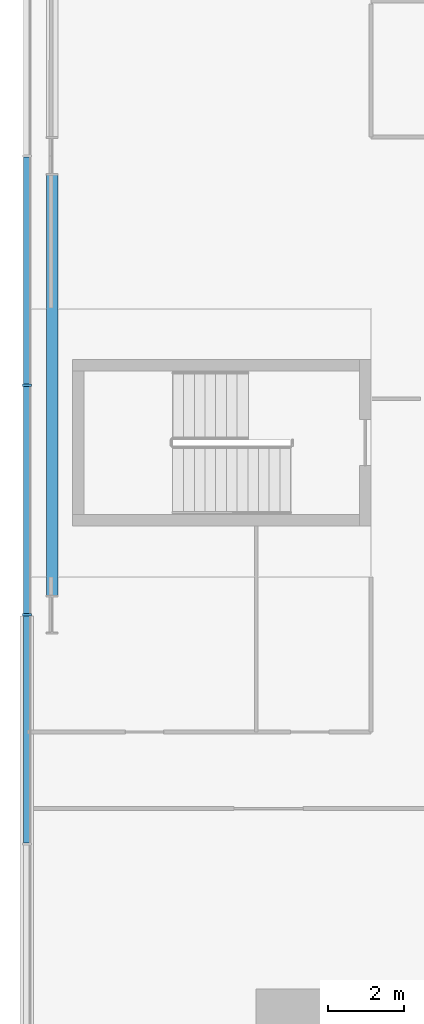
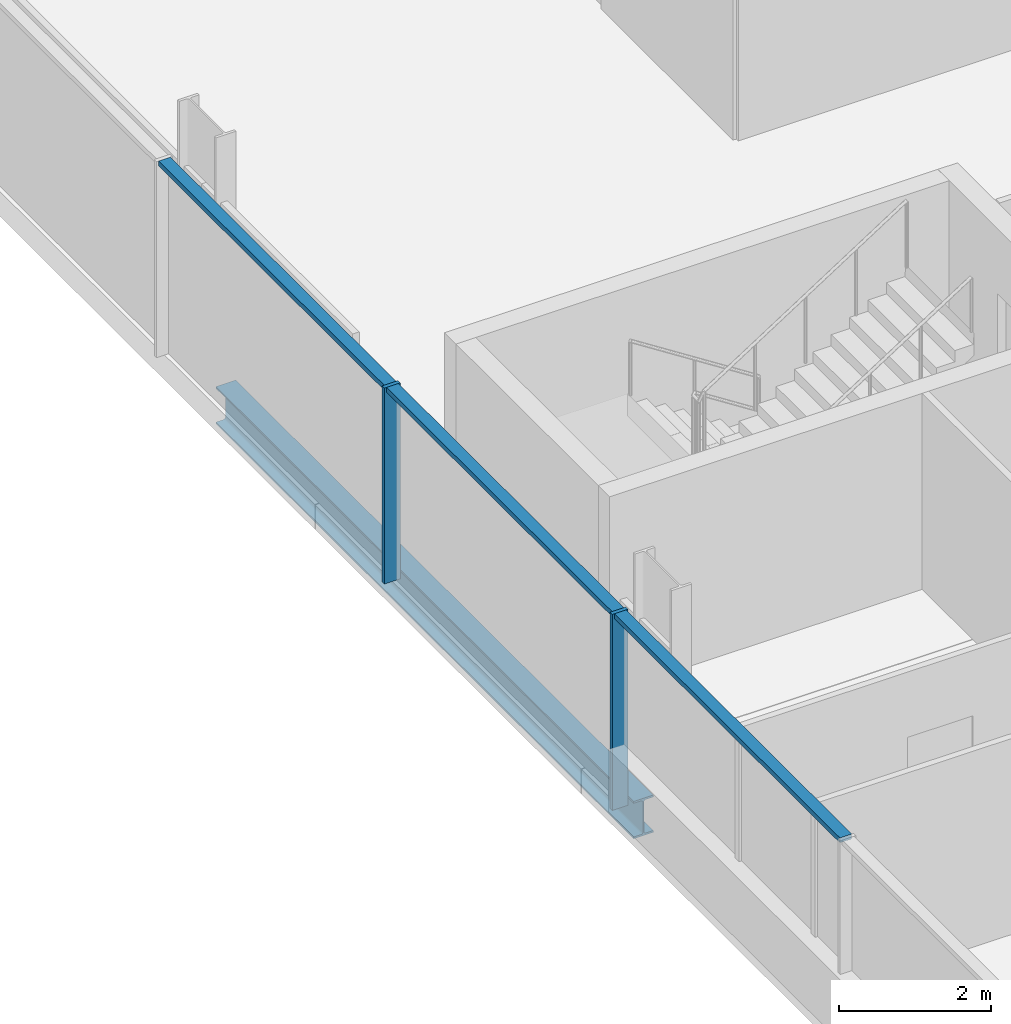
# One storey, part 5 of 24: 5 members, 1 beam, 1 element without a shape of its own.
"""IFC4 building model written with IfcOpenShell, lengths in metres."""

from ifc_helpers import new_model, si_unit, direction, frame, origin, origin_2d, place, context, subcontext, project, spatial, rectangle, i_section, extrude, material, material_profile, profile_set, type_object, element, aggregate, save


model = new_model("IFC4")

# Units and contexts
model_context = context("Model", 3, precision=1e-05, world=origin(), true_north=direction((0.0, 1.0)))
body_context = subcontext(model_context, "Body", "Model", "MODEL_VIEW")
ifc_project = project(units=[si_unit("LENGTHUNIT", "METRE"), si_unit("AREAUNIT", "SQUARE_METRE"), si_unit("VOLUMEUNIT", "CUBIC_METRE"), si_unit("PLANEANGLEUNIT", "RADIAN"), si_unit("MASSUNIT", "GRAM", prefix="KILO")], contexts=[model_context])

# Site, building, storey
site_placement = place(None, origin())
site = spatial("IfcSite", under=ifc_project, at=site_placement, CompositionType="ELEMENT")
building_placement = place(site_placement, origin())
building = spatial("IfcBuilding", under=site, at=building_placement, Name="Wharfspan Tower", CompositionType="ELEMENT")
storey_placement = place(building_placement, frame((0.0, 0.0, 88.300049)))
storey = spatial("IfcBuildingStorey", under=building, at=storey_placement, Name="L19", CompositionType="ELEMENT", Elevation=88.300049)

# Beam
ifc_material_1 = material(Name="Steel S355J2", Category="steel")
ifc_material_profile_1 = material_profile(ifc_material_1, i_section(OverallWidth=0.300049, OverallDepth=0.600098, WebThickness=0.015381, FlangeThickness=0.030029, FilletRadius=0.0271, at=origin_2d()))
ifc_profile_set_1 = profile_set([ifc_material_profile_1], Name="Steel S355J2")
beam_type = type_object("IfcBeamType", Name="Edge beam HEB 600", PredefinedType="SPANDREL", material=ifc_profile_set_1)
beam_placement = place(storey_placement, frame((0.659912, 29.5, -0.699951), z_axis=(0.0, -1.0, 0.0), x_axis=(1.0, 0.0, 0.0)))
element("IfcBeam", 1, at=beam_placement, inside=storey, type_object=beam_type, Name="Edge beam W L19 PW.1 to PW.2", PredefinedType="SPANDREL", context=body_context, shape_type="SweptSolid", body=[
    extrude(i_section(OverallWidth=0.300049, OverallDepth=0.600098, WebThickness=0.015381, FlangeThickness=0.030029, FilletRadius=0.0271, at=origin_2d()), origin(), (0.0, 0.0, 1.0), 11.0),
])

# Curtain wall, members
ifc_material_2 = material(Name="Aluminium 6063-T6", Category="aluminium")
curtain_wall_type = type_object("IfcCurtainWallType", Name="CURTAIN WALL PROW AND END", PredefinedType="NOTDEFINED", material=ifc_material_2)
curtain_wall_placement = place(storey_placement, origin())
curtain_wall = element("IfcCurtainWall", 2, at=curtain_wall_placement, inside=storey, type_object=curtain_wall_type, Name="Curtain wall W", PredefinedType="NOTDEFINED")
ifc_material_profile_2 = material_profile(ifc_material_2, rectangle(XDim=0.23999, YDim=0.060059, at=origin_2d()))
ifc_profile_set_2 = profile_set([ifc_material_profile_2], Name="Aluminium 6063-T6")
member_type_1 = type_object("IfcMemberType", Name="MULLION PROW AND END 60x240", PredefinedType="MULLION", material=ifc_profile_set_2)
member_1_placement = place(storey_placement, frame((0.0, 24.0, 0.0), z_axis=(0.0, 0.0, 1.0), x_axis=(1.0, 0.0, 0.0)))
member_1 = element("IfcMember", 3, at=member_1_placement, type_object=member_type_1, Name="Curtain wall W mullion 4", PredefinedType="MULLION", context=body_context, shape_type="SweptSolid", body=[
    extrude(rectangle(XDim=0.23999, YDim=0.060059, at=origin_2d()), origin(), (0.0, 0.0, 1.0), 3.149902),
])
member_2_placement = place(storey_placement, frame((0.0, 18.0, 0.0), z_axis=(0.0, 0.0, 1.0), x_axis=(1.0, 0.0, 0.0)))
member_2 = element("IfcMember", 4, at=member_2_placement, type_object=member_type_1, Name="Curtain wall W mullion 5", PredefinedType="MULLION", context=body_context, shape_type="SweptSolid", body=[
    extrude(rectangle(XDim=0.23999, YDim=0.060059, at=origin_2d()), origin(), (0.0, 0.0, 1.0), 3.149902),
])
ifc_material_profile_3 = material_profile(ifc_material_2, rectangle(XDim=0.179932, YDim=0.080078, at=origin_2d()))
ifc_profile_set_3 = profile_set([ifc_material_profile_3], Name="Aluminium 6063-T6")
member_type_2 = type_object("IfcMemberType", Name="TRANSOM PROW AND END 80x180", PredefinedType="USERDEFINED", material=ifc_profile_set_3)
member_3_placement = place(storey_placement, frame((0.0, 29.969971, 3.109863), z_axis=(0.0, -1.0, 0.0), x_axis=(1.0, 0.0, 0.0)))
member_3 = element("IfcMember", 5, at=member_3_placement, type_object=member_type_2, Name="Curtain wall W transom 3", ObjectType="TRANSOM", PredefinedType="USERDEFINED", context=body_context, shape_type="SweptSolid", body=[
    extrude(rectangle(XDim=0.179932, YDim=0.080078, at=origin_2d()), origin(), (0.0, 0.0, 1.0), 5.939941),
])
member_4_placement = place(storey_placement, frame((0.0, 23.969971, 3.109863), z_axis=(0.0, -1.0, 0.0), x_axis=(1.0, 0.0, 0.0)))
member_4 = element("IfcMember", 6, at=member_4_placement, type_object=member_type_2, Name="Curtain wall W transom 4", ObjectType="TRANSOM", PredefinedType="USERDEFINED", context=body_context, shape_type="SweptSolid", body=[
    extrude(rectangle(XDim=0.179932, YDim=0.080078, at=origin_2d()), origin(), (0.0, 0.0, 1.0), 5.939941),
])
member_5_placement = place(storey_placement, frame((0.0, 17.969971, 3.109863), z_axis=(0.0, -1.0, 0.0), x_axis=(1.0, 0.0, 0.0)))
member_5 = element("IfcMember", 7, at=member_5_placement, type_object=member_type_2, Name="Curtain wall W transom 5", ObjectType="TRANSOM", PredefinedType="USERDEFINED", context=body_context, shape_type="SweptSolid", body=[
    extrude(rectangle(XDim=0.179932, YDim=0.080078, at=origin_2d()), origin(), (0.0, 0.0, 1.0), 5.939941),
])
aggregate(curtain_wall, [member_1, member_2, member_3, member_4, member_5])

save(model, "model.ifc")
